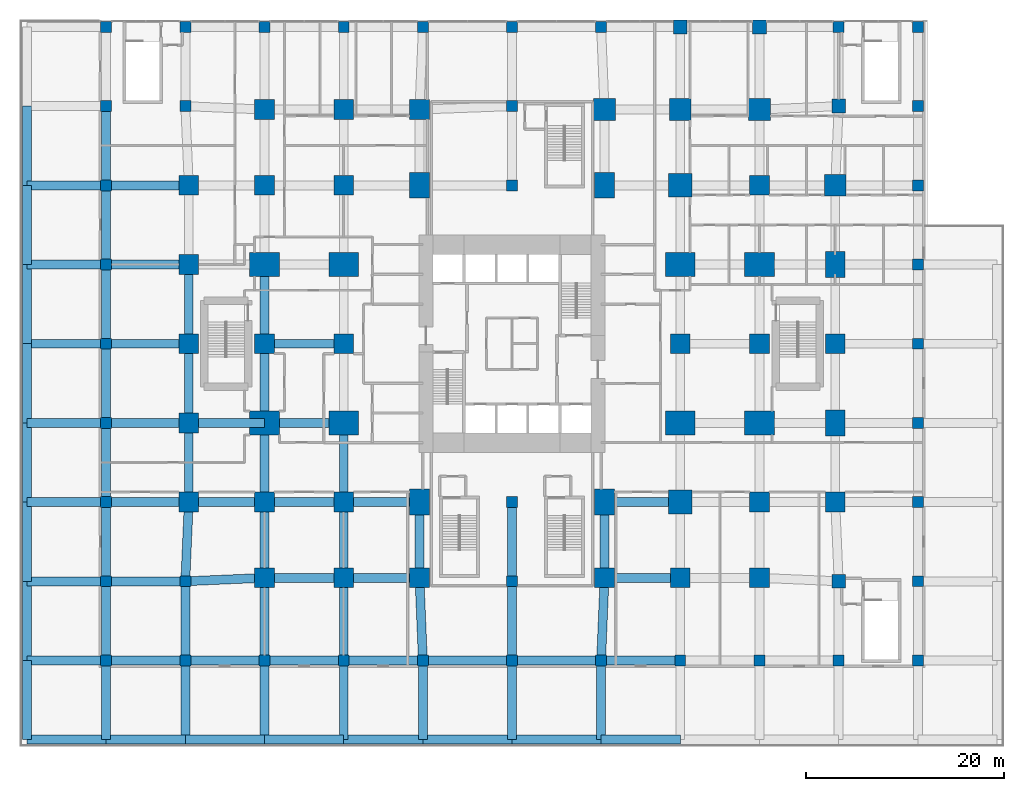
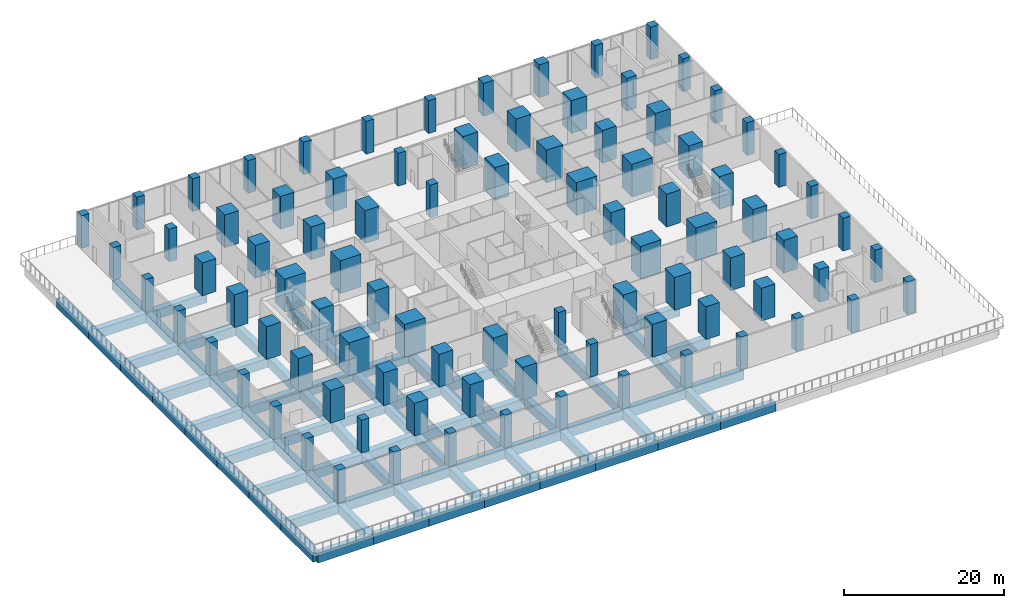
# One storey, part 1 of 19: 90 columns, 80 beams.
"""IFC4 building model written with IfcOpenShell, lengths in metres."""

from ifc_helpers import new_model, si_unit, direction, frame, origin, origin_2d, place, context, subcontext, project, spatial, rectangle, extrude, material, material_profile, profile_set, type_object, element, save


model = new_model("IFC4")

# Units and contexts
model_context = context("Model", 3, precision=1e-05, world=origin(), true_north=direction((0.0, 1.0)))
body_context = subcontext(model_context, "Body", "Model", "MODEL_VIEW")
ifc_project = project(units=[si_unit("LENGTHUNIT", "METRE"), si_unit("AREAUNIT", "SQUARE_METRE"), si_unit("VOLUMEUNIT", "CUBIC_METRE"), si_unit("PLANEANGLEUNIT", "RADIAN"), si_unit("MASSUNIT", "GRAM", prefix="KILO")], contexts=[model_context])

# Site, building, storey
site_placement = place(None, origin())
site = spatial("IfcSite", under=ifc_project, at=site_placement, CompositionType="ELEMENT")
building_placement = place(site_placement, origin())
building = spatial("IfcBuilding", under=site, at=building_placement, Name="Cleftline Residences", CompositionType="ELEMENT")
storey_placement = place(building_placement, frame((0.0, 0.0, 11.0)))
storey = spatial("IfcBuildingStorey", under=building, at=storey_placement, Name="L02", CompositionType="ELEMENT", Elevation=11.0)

# Columns
ifc_material_1 = material(Name="Concrete B70", Category="concrete")
ifc_material_profile_1 = material_profile(ifc_material_1, rectangle(XDim=1.10009765625, YDim=1.10009765625, at=origin_2d()))
ifc_profile_set_1 = profile_set([ifc_material_profile_1], Name="Concrete B70")
column_type_1 = type_object("IfcColumnType", Name="COLUMN RC1100X1100", PredefinedType="COLUMN", material=ifc_profile_set_1)
for number, where, z_axis, x_axis, name in (
    (1, (-8.0, -8.0, 0.0), (0.0, 0.0, 1.0), (1.0, 0.0, 0.0), "Column B/2"),
    (2, (-8.0, 0.0, 0.0), (0.0, 0.0, 1.0), (1.0, 0.0, 0.0), "Column C/2"),
    (3, (-8.0, 8.0, 0.0), (0.0, 0.0, 1.0), (1.0, 0.0, 0.0), "Column D/2"),
    (4, (-8.0, 16.0, 0.0), (0.0, 0.0, 1.0), (1.0, 0.0, 0.0), "Column E/2"),
    (5, (-8.0, 24.0, 0.0), (0.0, 0.0, 1.0), (1.0, 0.0, 0.0), "Column F/2"),
    (6, (-8.0, 32.0, 0.0), (0.0, 0.0, 1.0), (1.0, 0.0, 0.0), "Column G/2"),
    (7, (-8.0, 40.0, 0.0), (0.0, 0.0, 1.0), (1.0, 0.0, 0.0), "Column H/2"),
    (8, (-8.0, 48.0, 0.0), (0.0, 0.0, 1.0), (1.0, 0.0, 0.0), "Column J/2"),
    (9, (-8.0, 56.0, 0.0), (0.0, 0.0, 1.0), (1.0, 0.0, 0.0), "Column K/2"),
    (10, (0.0, -8.0, 0.0), (0.0, 0.0, 1.0), (1.0, 0.0, 0.0), "Column B/3"),
    (11, (0.0, 0.0, 0.0), (0.0, 0.0, 1.0), (1.0, 0.0, 0.0), "Column C/3"),
    (12, (0.0, 48.0, 0.0), (0.0, 0.0, 1.0), (1.0, 0.0, 0.0), "Column J/3"),
    (13, (0.0, 56.0, 0.0), (0.0, 0.0, 1.0), (1.0, 0.0, 0.0), "Column K/3"),
    (14, (8.0, -8.0, 0.0), (0.0, 0.0, 1.0), (1.0, 0.0, 0.0), "Column B/4"),
    (15, (8.0, 56.0, 0.0), (0.0, 0.0, 1.0), (1.0, 0.0, 0.0), "Column K/4"),
    (16, (16.0, -8.0, 0.0), (0.0, 0.0, 1.0), (1.0, 0.0, 0.0), "Column B/5"),
    (17, (16.0, 56.0, 0.0), (0.0, 0.0, 1.0), (1.0, 0.0, 0.0), "Column K/5"),
    (18, (24.0, -8.0, 0.0), (0.0, 0.0, 1.0), (1.0, 0.0, 0.0), "Column B/6"),
    (19, (24.0, 56.0, 0.0), (0.0, 0.0, 1.0), (1.0, 0.0, 0.0), "Column K/6"),
    (20, (33.0, -8.0, 0.0), (0.0, 0.0, 1.0), (1.0, 0.0, 0.0), "Column B/7"),
    (21, (33.0, 0.0, 0.0), (0.0, 0.0, 1.0), (1.0, 0.0, 0.0), "Column C/7"),
    (22, (33.0, 8.0, 0.0), (0.0, 0.0, 1.0), (1.0, 0.0, 0.0), "Column D/7"),
    (23, (33.0, 40.0, 0.0), (0.0, 0.0, 1.0), (1.0, 0.0, 0.0), "Column H/7"),
    (24, (33.0, 48.0, 0.0), (0.0, 0.0, 1.0), (1.0, 0.0, 0.0), "Column J/7"),
    (25, (33.0, 56.0, 0.0), (0.0, 0.0, 1.0), (1.0, 0.0, 0.0), "Column K/7"),
    (26, (42.0, -8.0, 0.0), (0.0, 0.0, 1.0), (1.0, 0.0, 0.0), "Column B/8"),
    (27, (42.0, 56.0, 0.0), (0.0, 0.0, 1.0), (1.0, 0.0, 0.0), "Column K/8"),
    (28, (50.0, -8.0, 0.0), (0.0, 0.0, 1.0), (1.0, 0.0, 0.0), "Column B/9"),
    (29, (58.0, -8.0, 0.0), (0.0, 0.0, 1.0), (1.0, 0.0, 0.0), "Column B/10"),
    (30, (66.0, -8.0, 0.0), (0.0, 0.0, 1.0), (1.0, 0.0, 0.0), "Column B/11"),
    (31, (66.0, 56.0, 0.0), (0.0, 0.0, 1.0), (1.0, 0.0, 0.0), "Column K/11"),
    (32, (74.0, -8.0, 0.0), (0.0, 0.0, 1.0), (1.0, 0.0, 0.0), "Column B/12"),
    (33, (74.0, 0.0, 0.0), (0.0, 0.0, 1.0), (1.0, 0.0, 0.0), "Column C/12"),
    (34, (74.0, 8.0, 0.0), (0.0, 0.0, 1.0), (1.0, 0.0, 0.0), "Column D/12"),
    (35, (74.0, 16.0, 0.0), (0.0, 0.0, 1.0), (1.0, 0.0, 0.0), "Column E/12"),
    (36, (74.0, 24.0, 0.0), (0.0, 0.0, 1.0), (1.0, 0.0, 0.0), "Column F/12"),
    (37, (74.0, 32.0, 0.0), (0.0, 0.0, 1.0), (1.0, 0.0, 0.0), "Column G/12"),
    (38, (74.0, 40.0, 0.0), (0.0, 0.0, 1.0), (1.0, 0.0, 0.0), "Column H/12"),
    (39, (74.0, 48.0, 0.0), (0.0, 0.0, 1.0), (1.0, 0.0, 0.0), "Column J/12"),
    (40, (74.0, 56.0, 0.0), (0.0, 0.0, 1.0), (1.0, 0.0, 0.0), "Column K/12"),
):
    element("IfcColumn", number, at=place(storey_placement, frame(where, z_axis=z_axis, x_axis=x_axis)), inside=storey, type_object=column_type_1, Name=name, PredefinedType="COLUMN", context=body_context, shape_type="SweptSolid", body=[
        extrude(rectangle(XDim=1.10009765625, YDim=1.10009765625, at=origin_2d()), origin(), (0.0, 0.0, 1.0), 5.0),
    ])
ifc_material_2 = material(Name="Concrete B70", Category="concrete")
ifc_material_profile_2 = material_profile(ifc_material_2, rectangle(XDim=1.39990234375, YDim=1.39990234375, at=origin_2d()))
ifc_profile_set_2 = profile_set([ifc_material_profile_2], Name="Concrete B70")
column_type_2 = type_object("IfcColumnType", Name="COLUMN RC1400X1400", PredefinedType="COLUMN", material=ifc_profile_set_2)
for number, where, z_axis, x_axis, name in (
    (41, (50.0, 56.0, 0.0), (0.0, 0.0, 1.0), (1.0, 0.0, 0.0), "Column K/9"),
    (42, (58.0, 56.0, 0.0), (0.0, 0.0, 1.0), (1.0, 0.0, 0.0), "Column K/10"),
    (43, (66.0, 0.0, 0.0), (0.0, 0.0, 1.0), (1.0, 0.0, 0.0), "Column C/11"),
    (44, (66.0, 48.0, 0.0), (0.0, 0.0, 1.0), (1.0, 0.0, 0.0), "Column J/11"),
):
    element("IfcColumn", number, at=place(storey_placement, frame(where, z_axis=z_axis, x_axis=x_axis)), inside=storey, type_object=column_type_2, Name=name, PredefinedType="COLUMN", context=body_context, shape_type="SweptSolid", body=[
        extrude(rectangle(XDim=1.39990234375, YDim=1.39990234375, at=origin_2d()), origin(), (0.0, 0.0, 1.0), 5.0),
    ])
ifc_material_3 = material(Name="Concrete B70", Category="concrete")
ifc_material_profile_3 = material_profile(ifc_material_3, rectangle(XDim=2.0, YDim=2.0, at=origin_2d()))
ifc_profile_set_3 = profile_set([ifc_material_profile_3], Name="Concrete B70")
column_type_3 = type_object("IfcColumnType", Name="COLUMN RC2000X2000", PredefinedType="COLUMN", material=ifc_profile_set_3)
for number, where, z_axis, x_axis, name in (
    (45, (0.35009765625, 8.0, 0.0), (0.0, 0.0, 1.0), (1.0, 0.0, 0.0), "Column D/3"),
    (46, (0.35009765625, 16.0, 0.0), (0.0, 0.0, 1.0), (1.0, 0.0, 0.0), "Column E/3"),
    (47, (0.35009765625, 24.0, 0.0), (0.0, 0.0, 1.0), (1.0, 0.0, 0.0), "Column F/3"),
    (48, (0.35009765625, 32.0, 0.0), (0.0, 0.0, 1.0), (1.0, 0.0, 0.0), "Column G/3"),
    (49, (0.35009765625, 40.0, 0.0), (0.0, 0.0, 1.0), (1.0, 0.0, 0.0), "Column H/3"),
    (50, (8.0, 0.35009765625, 0.0), (0.0, 0.0, 1.0), (1.0, 0.0, 0.0), "Column C/4"),
    (51, (8.0, 8.0, 0.0), (0.0, 0.0, 1.0), (1.0, 0.0, 0.0), "Column D/4"),
    (52, (8.0, 24.0, 0.0), (0.0, 0.0, 1.0), (1.0, 0.0, 0.0), "Column F/4"),
    (53, (8.0, 40.0, 0.0), (0.0, 0.0, 1.0), (1.0, 0.0, 0.0), "Column H/4"),
    (54, (8.0, 47.64990234375, 0.0), (0.0, 0.0, 1.0), (1.0, 0.0, 0.0), "Column J/4"),
    (55, (16.0, 0.35009765625, 0.0), (0.0, 0.0, 1.0), (1.0, 0.0, 0.0), "Column C/5"),
    (56, (16.0, 8.0, 0.0), (0.0, 0.0, 1.0), (1.0, 0.0, 0.0), "Column D/5"),
    (57, (16.0, 24.0, 0.0), (0.0, 0.0, 1.0), (1.0, 0.0, 0.0), "Column F/5"),
    (58, (16.0, 40.0, 0.0), (0.0, 0.0, 1.0), (1.0, 0.0, 0.0), "Column H/5"),
    (59, (16.0, 47.64990234375, 0.0), (0.0, 0.0, 1.0), (1.0, 0.0, 0.0), "Column J/5"),
    (60, (23.64990234375, 0.35009765625, 0.0), (0.0, 0.0, 1.0), (1.0, 0.0, 0.0), "Column C/6"),
    (61, (23.64990234375, 47.64990234375, 0.0), (0.0, 0.0, 1.0), (1.0, 0.0, 0.0), "Column J/6"),
    (62, (42.35009765625, 0.35009765625, 0.0), (0.0, 0.0, 1.0), (1.0, 0.0, 0.0), "Column C/8"),
    (63, (50.0, 0.35009765625, 0.0), (0.0, 0.0, 1.0), (1.0, 0.0, 0.0), "Column C/9"),
    (64, (50.0, 24.0, 0.0), (0.0, 0.0, 1.0), (1.0, 0.0, 0.0), "Column F/9"),
    (65, (58.0, 0.35009765625, 0.0), (0.0, 0.0, 1.0), (1.0, 0.0, 0.0), "Column C/10"),
    (66, (58.0, 8.0, 0.0), (0.0, 0.0, 1.0), (1.0, 0.0, 0.0), "Column D/10"),
    (67, (58.0, 24.0, 0.0), (0.0, 0.0, 1.0), (1.0, 0.0, 0.0), "Column F/10"),
    (68, (58.0, 40.0, 0.0), (0.0, 0.0, 1.0), (1.0, 0.0, 0.0), "Column H/10"),
    (69, (65.64990234375, 8.0, 0.0), (0.0, 0.0, 1.0), (1.0, 0.0, 0.0), "Column D/11"),
    (70, (65.64990234375, 24.0, 0.0), (0.0, 0.0, 1.0), (1.0, 0.0, 0.0), "Column F/11"),
):
    element("IfcColumn", number, at=place(storey_placement, frame(where, z_axis=z_axis, x_axis=x_axis)), inside=storey, type_object=column_type_3, Name=name, PredefinedType="COLUMN", context=body_context, shape_type="SweptSolid", body=[
        extrude(rectangle(XDim=2.0, YDim=2.0, at=origin_2d()), origin(), (0.0, 0.0, 1.0), 5.0),
    ])
ifc_material_4 = material(Name="Concrete B70", Category="concrete")
ifc_material_profile_4 = material_profile(ifc_material_4, rectangle(XDim=2.0, YDim=2.60009765625, at=origin_2d()))
ifc_profile_set_4 = profile_set([ifc_material_profile_4], Name="Concrete B70")
column_type_4 = type_object("IfcColumnType", Name="COLUMN RC2000X2600", PredefinedType="COLUMN", material=ifc_profile_set_4)
for number, where, z_axis, x_axis, name in (
    (71, (23.64990234375, 8.0, 0.0), (0.0, 0.0, 1.0), (1.0, 0.0, 0.0), "Column D/6"),
    (72, (23.64990234375, 40.0, 0.0), (0.0, 0.0, 1.0), (1.0, 0.0, 0.0), "Column H/6"),
    (73, (42.35009765625, 8.0, 0.0), (0.0, 0.0, 1.0), (1.0, 0.0, 0.0), "Column D/8"),
    (74, (42.35009765625, 40.0, 0.0), (0.0, 0.0, 1.0), (1.0, 0.0, 0.0), "Column H/8"),
):
    element("IfcColumn", number, at=place(storey_placement, frame(where, z_axis=z_axis, x_axis=x_axis)), inside=storey, type_object=column_type_4, Name=name, PredefinedType="COLUMN", context=body_context, shape_type="SweptSolid", body=[
        extrude(rectangle(XDim=2.0, YDim=2.60009765625, at=origin_2d()), origin(), (0.0, 0.0, 1.0), 5.0),
    ])
ifc_material_5 = material(Name="Concrete B70", Category="concrete")
ifc_material_profile_5 = material_profile(ifc_material_5, rectangle(XDim=2.199951171875, YDim=2.199951171875, at=origin_2d()))
ifc_profile_set_5 = profile_set([ifc_material_profile_5], Name="Concrete B70")
column_type_5 = type_object("IfcColumnType", Name="COLUMN RC2200X2200", PredefinedType="COLUMN", material=ifc_profile_set_5)
for number, where, z_axis, x_axis, name in (
    (75, (42.35009765625, 47.64990234375, 0.0), (0.0, 0.0, 1.0), (1.0, 0.0, 0.0), "Column J/8"),
    (76, (50.0, 47.64990234375, 0.0), (0.0, 0.0, 1.0), (1.0, 0.0, 0.0), "Column J/9"),
    (77, (58.0, 47.64990234375, 0.0), (0.0, 0.0, 1.0), (1.0, 0.0, 0.0), "Column J/10"),
    (78, (65.64990234375, 40.0, 0.0), (0.0, 0.0, 1.0), (1.0, 0.0, 0.0), "Column H/11"),
):
    element("IfcColumn", number, at=place(storey_placement, frame(where, z_axis=z_axis, x_axis=x_axis)), inside=storey, type_object=column_type_5, Name=name, PredefinedType="COLUMN", context=body_context, shape_type="SweptSolid", body=[
        extrude(rectangle(XDim=2.199951171875, YDim=2.199951171875, at=origin_2d()), origin(), (0.0, 0.0, 1.0), 5.0),
    ])
ifc_material_6 = material(Name="Concrete B70", Category="concrete")
ifc_material_profile_6 = material_profile(ifc_material_6, rectangle(XDim=2.39990234375, YDim=2.39990234375, at=origin_2d()))
ifc_profile_set_6 = profile_set([ifc_material_profile_6], Name="Concrete B70")
column_type_6 = type_object("IfcColumnType", Name="COLUMN RC2400X2400", PredefinedType="COLUMN", material=ifc_profile_set_6)
for number, where, z_axis, x_axis, name in (
    (79, (50.0, 8.0, 0.0), (0.0, 0.0, 1.0), (1.0, 0.0, 0.0), "Column D/9"),
    (80, (50.0, 40.0, 0.0), (0.0, 0.0, 1.0), (1.0, 0.0, 0.0), "Column H/9"),
):
    element("IfcColumn", number, at=place(storey_placement, frame(where, z_axis=z_axis, x_axis=x_axis)), inside=storey, type_object=column_type_6, Name=name, PredefinedType="COLUMN", context=body_context, shape_type="SweptSolid", body=[
        extrude(rectangle(XDim=2.39990234375, YDim=2.39990234375, at=origin_2d()), origin(), (0.0, 0.0, 1.0), 5.0),
    ])
ifc_material_7 = material(Name="Concrete B70", Category="concrete")
ifc_material_profile_7 = material_profile(ifc_material_7, rectangle(XDim=2.60009765625, YDim=2.0, at=origin_2d()))
ifc_profile_set_7 = profile_set([ifc_material_profile_7], Name="Concrete B70")
column_type_7 = type_object("IfcColumnType", Name="COLUMN RC2600X2000", PredefinedType="COLUMN", material=ifc_profile_set_7)
for number, where, z_axis, x_axis, name in (
    (81, (65.64990234375, 16.0, 0.0), (0.0, 0.0, 1.0), (0.0, 1.0, 0.0), "Column E/11"),
    (82, (65.64990234375, 32.0, 0.0), (0.0, 0.0, 1.0), (0.0, 1.0, 0.0), "Column G/11"),
):
    element("IfcColumn", number, at=place(storey_placement, frame(where, z_axis=z_axis, x_axis=x_axis)), inside=storey, type_object=column_type_7, Name=name, PredefinedType="COLUMN", context=body_context, shape_type="SweptSolid", body=[
        extrude(rectangle(XDim=2.60009765625, YDim=2.0, at=origin_2d()), origin(), (0.0, 0.0, 1.0), 5.0),
    ])
ifc_material_8 = material(Name="Concrete B70", Category="concrete")
ifc_material_profile_8 = material_profile(ifc_material_8, rectangle(XDim=3.0, YDim=2.39990234375, at=origin_2d()))
ifc_profile_set_8 = profile_set([ifc_material_profile_8], Name="Concrete B70")
column_type_8 = type_object("IfcColumnType", Name="COLUMN RC3000X2400", PredefinedType="COLUMN", material=ifc_profile_set_8)
for number, where, z_axis, x_axis, name in (
    (83, (8.0, 16.0, 0.0), (0.0, 0.0, 1.0), (1.0, 0.0, 0.0), "Column E/4"),
    (84, (8.0, 32.0, 0.0), (0.0, 0.0, 1.0), (1.0, 0.0, 0.0), "Column G/4"),
    (85, (16.0, 16.0, 0.0), (0.0, 0.0, 1.0), (1.0, 0.0, 0.0), "Column E/5"),
    (86, (16.0, 32.0, 0.0), (0.0, 0.0, 1.0), (1.0, 0.0, 0.0), "Column G/5"),
    (87, (50.0, 16.0, 0.0), (0.0, 0.0, 1.0), (1.0, 0.0, 0.0), "Column E/9"),
    (88, (50.0, 32.0, 0.0), (0.0, 0.0, 1.0), (1.0, 0.0, 0.0), "Column G/9"),
    (89, (58.0, 16.0, 0.0), (0.0, 0.0, 1.0), (1.0, 0.0, 0.0), "Column E/10"),
    (90, (58.0, 32.0, 0.0), (0.0, 0.0, 1.0), (1.0, 0.0, 0.0), "Column G/10"),
):
    element("IfcColumn", number, at=place(storey_placement, frame(where, z_axis=z_axis, x_axis=x_axis)), inside=storey, type_object=column_type_8, Name=name, PredefinedType="COLUMN", context=body_context, shape_type="SweptSolid", body=[
        extrude(rectangle(XDim=3.0, YDim=2.39990234375, at=origin_2d()), origin(), (0.0, 0.0, 1.0), 5.0),
    ])

# Beams
ifc_material_9 = material(Name="Concrete B45", Category="concrete")
ifc_material_profile_9 = material_profile(ifc_material_9, rectangle(XDim=0.89990234375, YDim=1.39990234375, at=origin_2d()))
ifc_profile_set_9 = profile_set([ifc_material_profile_9], Name="Concrete B45")
beam_type = type_object("IfcBeamType", Name="BEAM RC900X1400", PredefinedType="BEAM", material=ifc_profile_set_9)
for number, where, z_axis, x_axis, name in (
    (91, (-16.0, -16.0, -1.0), (1.0, 0.0, 0.0), (0.0, 1.0, 0.0), "Podium beam"),
    (92, (-8.0, -16.0, -1.0), (1.0, 0.0, 0.0), (0.0, 1.0, 0.0), "Podium beam"),
    (93, (0.0, -16.0, -1.0), (1.0, 0.0, 0.0), (0.0, 1.0, 0.0), "Podium beam"),
    (94, (8.0, -16.0, -1.0), (1.0, 0.0, 0.0), (0.0, 1.0, 0.0), "Podium beam"),
    (95, (16.0, -16.0, -1.0), (1.0, 0.0, 0.0), (0.0, 1.0, 0.0), "Podium beam"),
):
    element("IfcBeam", number, at=place(storey_placement, frame(where, z_axis=z_axis, x_axis=x_axis)), inside=storey, type_object=beam_type, Name=name, PredefinedType="BEAM", context=body_context, shape_type="SweptSolid", body=[
        extrude(rectangle(XDim=0.89990234375, YDim=1.39990234375, at=origin_2d()), origin(), (0.0, 0.0, 1.0), 8.0),
    ])
for number, where, z_axis, x_axis, name in (
    (96, (24.0, -16.0, -1.0), (1.0, 0.0, 0.0), (0.0, 1.0, 0.0), "Podium beam"),
    (97, (33.0, -16.0, -1.0), (1.0, 0.0, 0.0), (0.0, 1.0, 0.0), "Podium beam"),
):
    element("IfcBeam", number, at=place(storey_placement, frame(where, z_axis=z_axis, x_axis=x_axis)), inside=storey, type_object=beam_type, Name=name, PredefinedType="BEAM", context=body_context, shape_type="SweptSolid", body=[
        extrude(rectangle(XDim=0.89990234375, YDim=1.39990234375, at=origin_2d()), origin(), (0.0, 0.0, 1.0), 9.0),
    ])
for number, where, z_axis, x_axis, name in (
    (98, (42.0, -16.0, -1.0), (1.0, 0.0, 0.0), (0.0, 1.0, 0.0), "Podium beam"),
    (99, (-16.0, -8.0, -1.0), (1.0, 0.0, 0.0), (0.0, 1.0, 0.0), "Podium beam"),
    (100, (-8.0, -8.0, -1.0), (1.0, 0.0, 0.0), (0.0, 1.0, 0.0), "Podium beam"),
    (101, (0.0, -8.0, -1.0), (1.0, 0.0, 0.0), (0.0, 1.0, 0.0), "Podium beam"),
    (102, (8.0, -8.0, -1.0), (1.0, 0.0, 0.0), (0.0, 1.0, 0.0), "Podium beam"),
    (103, (16.0, -8.0, -1.0), (1.0, 0.0, 0.0), (0.0, 1.0, 0.0), "Podium beam"),
):
    element("IfcBeam", number, at=place(storey_placement, frame(where, z_axis=z_axis, x_axis=x_axis)), inside=storey, type_object=beam_type, Name=name, PredefinedType="BEAM", context=body_context, shape_type="SweptSolid", body=[
        extrude(rectangle(XDim=0.89990234375, YDim=1.39990234375, at=origin_2d()), origin(), (0.0, 0.0, 1.0), 8.0),
    ])
for number, where, z_axis, x_axis, name in (
    (104, (24.0, -8.0, -1.0), (1.0, 0.0, 0.0), (0.0, 1.0, 0.0), "Podium beam"),
    (105, (33.0, -8.0, -1.0), (1.0, 0.0, 0.0), (0.0, 1.0, 0.0), "Podium beam"),
):
    element("IfcBeam", number, at=place(storey_placement, frame(where, z_axis=z_axis, x_axis=x_axis)), inside=storey, type_object=beam_type, Name=name, PredefinedType="BEAM", context=body_context, shape_type="SweptSolid", body=[
        extrude(rectangle(XDim=0.89990234375, YDim=1.39990234375, at=origin_2d()), origin(), (0.0, 0.0, 1.0), 9.0),
    ])
for number, where, z_axis, x_axis, name in (
    (106, (42.0, -8.0, -1.0), (1.0, 0.0, 0.0), (0.0, 1.0, 0.0), "Podium beam"),
    (107, (-16.0, 0.0, -1.0), (1.0, 0.0, 0.0), (0.0, 1.0, 0.0), "Podium beam"),
    (108, (-8.0, 0.0, -1.0), (1.0, 0.0, 0.0), (0.0, 1.0, 0.0), "Podium beam"),
):
    element("IfcBeam", number, at=place(storey_placement, frame(where, z_axis=z_axis, x_axis=x_axis)), inside=storey, type_object=beam_type, Name=name, PredefinedType="BEAM", context=body_context, shape_type="SweptSolid", body=[
        extrude(rectangle(XDim=0.89990234375, YDim=1.39990234375, at=origin_2d()), origin(), (0.0, 0.0, 1.0), 8.0),
    ])
beam_1_placement = place(storey_placement, frame((0.0, 0.0, -1.0), z_axis=(0.999043807824, 0.043720361951, 0.0), x_axis=(-0.043720361951, 0.999043807824, 0.0)))
element("IfcBeam", 109, at=beam_1_placement, inside=storey, type_object=beam_type, Name="Podium beam", PredefinedType="BEAM", context=body_context, shape_type="SweptSolid", body=[
    extrude(rectangle(XDim=0.89990234375, YDim=1.39990234375, at=origin_2d()), origin(), (0.0, 0.0, 1.0), 8.007568359375),
])
beam_2_placement = place(storey_placement, frame((8.0, 0.35009765625, -1.0), z_axis=(1.0, 0.0, 0.0), x_axis=(0.0, 1.0, 0.0)))
element("IfcBeam", 110, at=beam_2_placement, inside=storey, type_object=beam_type, Name="Podium beam", PredefinedType="BEAM", context=body_context, shape_type="SweptSolid", body=[
    extrude(rectangle(XDim=0.89990234375, YDim=1.39990234375, at=origin_2d()), origin(), (0.0, 0.0, 1.0), 8.0),
])
for number, where, z_axis, x_axis, name in (
    (111, (16.0, 0.35009765625, -1.0), (1.0, 0.0, 0.0), (0.0, 1.0, 0.0), "Podium beam"),
    (112, (42.35009765625, 0.35009765625, -1.0), (1.0, 0.0, 0.0), (0.0, 1.0, 0.0), "Podium beam"),
):
    element("IfcBeam", number, at=place(storey_placement, frame(where, z_axis=z_axis, x_axis=x_axis)), inside=storey, type_object=beam_type, Name=name, PredefinedType="BEAM", context=body_context, shape_type="SweptSolid", body=[
        extrude(rectangle(XDim=0.89990234375, YDim=1.39990234375, at=origin_2d()), origin(), (0.0, 0.0, 1.0), 7.64990234375),
    ])
beam_3_placement = place(storey_placement, frame((-16.0, 8.0, -1.0), z_axis=(1.0, 0.0, 0.0), x_axis=(0.0, 1.0, 0.0)))
element("IfcBeam", 113, at=beam_3_placement, inside=storey, type_object=beam_type, Name="Podium beam", PredefinedType="BEAM", context=body_context, shape_type="SweptSolid", body=[
    extrude(rectangle(XDim=0.89990234375, YDim=1.39990234375, at=origin_2d()), origin(), (0.0, 0.0, 1.0), 8.0),
])
beam_4_placement = place(storey_placement, frame((-8.0, 8.0, -1.0), z_axis=(1.0, 0.0, 0.0), x_axis=(0.0, 1.0, 0.0)))
element("IfcBeam", 114, at=beam_4_placement, inside=storey, type_object=beam_type, Name="Podium beam", PredefinedType="BEAM", context=body_context, shape_type="SweptSolid", body=[
    extrude(rectangle(XDim=0.89990234375, YDim=1.39990234375, at=origin_2d()), origin(), (0.0, 0.0, 1.0), 8.35009765625),
])
beam_5_placement = place(storey_placement, frame((0.35009765625, 8.0, -1.0), z_axis=(1.0, 0.0, 0.0), x_axis=(0.0, 1.0, 0.0)))
element("IfcBeam", 115, at=beam_5_placement, inside=storey, type_object=beam_type, Name="Podium beam", PredefinedType="BEAM", context=body_context, shape_type="SweptSolid", body=[
    extrude(rectangle(XDim=0.89990234375, YDim=1.39990234375, at=origin_2d()), origin(), (0.0, 0.0, 1.0), 7.64990234375),
])
beam_6_placement = place(storey_placement, frame((8.0, 8.0, -1.0), z_axis=(1.0, 0.0, 0.0), x_axis=(0.0, 1.0, 0.0)))
element("IfcBeam", 116, at=beam_6_placement, inside=storey, type_object=beam_type, Name="Podium beam", PredefinedType="BEAM", context=body_context, shape_type="SweptSolid", body=[
    extrude(rectangle(XDim=0.89990234375, YDim=1.39990234375, at=origin_2d()), origin(), (0.0, 0.0, 1.0), 8.0),
])
for number, where, z_axis, x_axis, name in (
    (117, (16.0, 8.0, -1.0), (1.0, 0.0, 0.0), (0.0, 1.0, 0.0), "Podium beam"),
    (118, (42.35009765625, 8.0, -1.0), (1.0, 0.0, 0.0), (0.0, 1.0, 0.0), "Podium beam"),
):
    element("IfcBeam", number, at=place(storey_placement, frame(where, z_axis=z_axis, x_axis=x_axis)), inside=storey, type_object=beam_type, Name=name, PredefinedType="BEAM", context=body_context, shape_type="SweptSolid", body=[
        extrude(rectangle(XDim=0.89990234375, YDim=1.39990234375, at=origin_2d()), origin(), (0.0, 0.0, 1.0), 7.64990234375),
    ])
beam_7_placement = place(storey_placement, frame((-16.0, 16.0, -1.0), z_axis=(1.0, 0.0, 0.0), x_axis=(0.0, 1.0, 0.0)))
element("IfcBeam", 119, at=beam_7_placement, inside=storey, type_object=beam_type, Name="Podium beam", PredefinedType="BEAM", context=body_context, shape_type="SweptSolid", body=[
    extrude(rectangle(XDim=0.89990234375, YDim=1.39990234375, at=origin_2d()), origin(), (0.0, 0.0, 1.0), 8.0),
])
beam_8_placement = place(storey_placement, frame((-8.0, 16.0, -1.0), z_axis=(1.0, 0.0, 0.0), x_axis=(0.0, 1.0, 0.0)))
element("IfcBeam", 120, at=beam_8_placement, inside=storey, type_object=beam_type, Name="Podium beam", PredefinedType="BEAM", context=body_context, shape_type="SweptSolid", body=[
    extrude(rectangle(XDim=0.89990234375, YDim=1.39990234375, at=origin_2d()), origin(), (0.0, 0.0, 1.0), 8.35009765625),
])
beam_9_placement = place(storey_placement, frame((0.35009765625, 16.0, -1.0), z_axis=(1.0, 0.0, 0.0), x_axis=(0.0, 1.0, 0.0)))
element("IfcBeam", 121, at=beam_9_placement, inside=storey, type_object=beam_type, Name="Podium beam", PredefinedType="BEAM", context=body_context, shape_type="SweptSolid", body=[
    extrude(rectangle(XDim=0.89990234375, YDim=1.39990234375, at=origin_2d()), origin(), (0.0, 0.0, 1.0), 7.64990234375),
])
for number, where, z_axis, x_axis, name in (
    (122, (8.0, 16.0, -1.0), (1.0, 0.0, 0.0), (0.0, 1.0, 0.0), "Podium beam"),
    (123, (-16.0, 24.0, -1.0), (1.0, 0.0, 0.0), (0.0, 1.0, 0.0), "Podium beam"),
):
    element("IfcBeam", number, at=place(storey_placement, frame(where, z_axis=z_axis, x_axis=x_axis)), inside=storey, type_object=beam_type, Name=name, PredefinedType="BEAM", context=body_context, shape_type="SweptSolid", body=[
        extrude(rectangle(XDim=0.89990234375, YDim=1.39990234375, at=origin_2d()), origin(), (0.0, 0.0, 1.0), 8.0),
    ])
beam_10_placement = place(storey_placement, frame((-8.0, 24.0, -1.0), z_axis=(1.0, 0.0, 0.0), x_axis=(0.0, 1.0, 0.0)))
element("IfcBeam", 124, at=beam_10_placement, inside=storey, type_object=beam_type, Name="Podium beam", PredefinedType="BEAM", context=body_context, shape_type="SweptSolid", body=[
    extrude(rectangle(XDim=0.89990234375, YDim=1.39990234375, at=origin_2d()), origin(), (0.0, 0.0, 1.0), 8.35009765625),
])
for number, where, z_axis, x_axis, name in (
    (125, (8.0, 24.0, -1.0), (1.0, 0.0, 0.0), (0.0, 1.0, 0.0), "Podium beam"),
    (126, (-16.0, 32.0, -1.0), (1.0, 0.0, 0.0), (0.0, 1.0, 0.0), "Podium beam"),
):
    element("IfcBeam", number, at=place(storey_placement, frame(where, z_axis=z_axis, x_axis=x_axis)), inside=storey, type_object=beam_type, Name=name, PredefinedType="BEAM", context=body_context, shape_type="SweptSolid", body=[
        extrude(rectangle(XDim=0.89990234375, YDim=1.39990234375, at=origin_2d()), origin(), (0.0, 0.0, 1.0), 8.0),
    ])
beam_11_placement = place(storey_placement, frame((-8.0, 32.0, -1.0), z_axis=(1.0, 0.0, 0.0), x_axis=(0.0, 1.0, 0.0)))
element("IfcBeam", 127, at=beam_11_placement, inside=storey, type_object=beam_type, Name="Podium beam", PredefinedType="BEAM", context=body_context, shape_type="SweptSolid", body=[
    extrude(rectangle(XDim=0.89990234375, YDim=1.39990234375, at=origin_2d()), origin(), (0.0, 0.0, 1.0), 8.35009765625),
])
beam_12_placement = place(storey_placement, frame((-16.0, 40.0, -1.0), z_axis=(1.0, 0.0, 0.0), x_axis=(0.0, 1.0, 0.0)))
element("IfcBeam", 128, at=beam_12_placement, inside=storey, type_object=beam_type, Name="Podium beam", PredefinedType="BEAM", context=body_context, shape_type="SweptSolid", body=[
    extrude(rectangle(XDim=0.89990234375, YDim=1.39990234375, at=origin_2d()), origin(), (0.0, 0.0, 1.0), 8.0),
])
beam_13_placement = place(storey_placement, frame((-8.0, 40.0, -1.0), z_axis=(1.0, 0.0, 0.0), x_axis=(0.0, 1.0, 0.0)))
element("IfcBeam", 129, at=beam_13_placement, inside=storey, type_object=beam_type, Name="Podium beam", PredefinedType="BEAM", context=body_context, shape_type="SweptSolid", body=[
    extrude(rectangle(XDim=0.89990234375, YDim=1.39990234375, at=origin_2d()), origin(), (0.0, 0.0, 1.0), 8.35009765625),
])
for number, where, z_axis, x_axis, name in (
    (130, (-16.0, -16.0, -1.0), (0.0, 1.0, 0.0), (-1.0, 0.0, 0.0), "Podium beam"),
    (131, (-16.0, -8.0, -1.0), (0.0, 1.0, 0.0), (-1.0, 0.0, 0.0), "Podium beam"),
    (132, (-16.0, 0.0, -1.0), (0.0, 1.0, 0.0), (-1.0, 0.0, 0.0), "Podium beam"),
    (133, (-16.0, 8.0, -1.0), (0.0, 1.0, 0.0), (-1.0, 0.0, 0.0), "Podium beam"),
    (134, (-16.0, 16.0, -1.0), (0.0, 1.0, 0.0), (-1.0, 0.0, 0.0), "Podium beam"),
    (135, (-16.0, 24.0, -1.0), (0.0, 1.0, 0.0), (-1.0, 0.0, 0.0), "Podium beam"),
    (136, (-16.0, 32.0, -1.0), (0.0, 1.0, 0.0), (-1.0, 0.0, 0.0), "Podium beam"),
    (137, (-16.0, 40.0, -1.0), (0.0, 1.0, 0.0), (-1.0, 0.0, 0.0), "Podium beam"),
    (138, (-8.0, -16.0, -1.0), (0.0, 1.0, 0.0), (-1.0, 0.0, 0.0), "Podium beam"),
    (139, (-8.0, -8.0, -1.0), (0.0, 1.0, 0.0), (-1.0, 0.0, 0.0), "Podium beam"),
    (140, (-8.0, 0.0, -1.0), (0.0, 1.0, 0.0), (-1.0, 0.0, 0.0), "Podium beam"),
    (141, (-8.0, 8.0, -1.0), (0.0, 1.0, 0.0), (-1.0, 0.0, 0.0), "Podium beam"),
    (142, (-8.0, 16.0, -1.0), (0.0, 1.0, 0.0), (-1.0, 0.0, 0.0), "Podium beam"),
    (143, (-8.0, 24.0, -1.0), (0.0, 1.0, 0.0), (-1.0, 0.0, 0.0), "Podium beam"),
    (144, (-8.0, 32.0, -1.0), (0.0, 1.0, 0.0), (-1.0, 0.0, 0.0), "Podium beam"),
    (145, (-8.0, 40.0, -1.0), (0.0, 1.0, 0.0), (-1.0, 0.0, 0.0), "Podium beam"),
    (146, (0.0, -16.0, -1.0), (0.0, 1.0, 0.0), (-1.0, 0.0, 0.0), "Podium beam"),
    (147, (0.0, -8.0, -1.0), (0.0, 1.0, 0.0), (-1.0, 0.0, 0.0), "Podium beam"),
):
    element("IfcBeam", number, at=place(storey_placement, frame(where, z_axis=z_axis, x_axis=x_axis)), inside=storey, type_object=beam_type, Name=name, PredefinedType="BEAM", context=body_context, shape_type="SweptSolid", body=[
        extrude(rectangle(XDim=0.89990234375, YDim=1.39990234375, at=origin_2d()), origin(), (0.0, 0.0, 1.0), 8.0),
    ])
beam_14_placement = place(storey_placement, frame((0.0, 0.0, -1.0), z_axis=(0.043720361951, 0.999043807824, 0.0), x_axis=(-0.999043807824, 0.043720361951, 0.0)))
element("IfcBeam", 148, at=beam_14_placement, inside=storey, type_object=beam_type, Name="Podium beam", PredefinedType="BEAM", context=body_context, shape_type="SweptSolid", body=[
    extrude(rectangle(XDim=0.89990234375, YDim=1.39990234375, at=origin_2d()), origin(), (0.0, 0.0, 1.0), 8.007568359375),
])
for number, where, z_axis, x_axis, name in (
    (149, (0.35009765625, 8.0, -1.0), (0.0, 1.0, 0.0), (-1.0, 0.0, 0.0), "Podium beam"),
    (150, (0.35009765625, 16.0, -1.0), (0.0, 1.0, 0.0), (-1.0, 0.0, 0.0), "Podium beam"),
    (151, (0.35009765625, 24.0, -1.0), (0.0, 1.0, 0.0), (-1.0, 0.0, 0.0), "Podium beam"),
    (152, (8.0, -16.0, -1.0), (0.0, 1.0, 0.0), (-1.0, 0.0, 0.0), "Podium beam"),
):
    element("IfcBeam", number, at=place(storey_placement, frame(where, z_axis=z_axis, x_axis=x_axis)), inside=storey, type_object=beam_type, Name=name, PredefinedType="BEAM", context=body_context, shape_type="SweptSolid", body=[
        extrude(rectangle(XDim=0.89990234375, YDim=1.39990234375, at=origin_2d()), origin(), (0.0, 0.0, 1.0), 8.0),
    ])
beam_15_placement = place(storey_placement, frame((8.0, -8.0, -1.0), z_axis=(0.0, 1.0, 0.0), x_axis=(-1.0, 0.0, 0.0)))
element("IfcBeam", 153, at=beam_15_placement, inside=storey, type_object=beam_type, Name="Podium beam", PredefinedType="BEAM", context=body_context, shape_type="SweptSolid", body=[
    extrude(rectangle(XDim=0.89990234375, YDim=1.39990234375, at=origin_2d()), origin(), (0.0, 0.0, 1.0), 8.35009765625),
])
beam_16_placement = place(storey_placement, frame((8.0, 0.35009765625, -1.0), z_axis=(0.0, 1.0, 0.0), x_axis=(-1.0, 0.0, 0.0)))
element("IfcBeam", 154, at=beam_16_placement, inside=storey, type_object=beam_type, Name="Podium beam", PredefinedType="BEAM", context=body_context, shape_type="SweptSolid", body=[
    extrude(rectangle(XDim=0.89990234375, YDim=1.39990234375, at=origin_2d()), origin(), (0.0, 0.0, 1.0), 7.64990234375),
])
for number, where, z_axis, x_axis, name in (
    (155, (8.0, 8.0, -1.0), (0.0, 1.0, 0.0), (-1.0, 0.0, 0.0), "Podium beam"),
    (156, (8.0, 16.0, -1.0), (0.0, 1.0, 0.0), (-1.0, 0.0, 0.0), "Podium beam"),
    (157, (8.0, 24.0, -1.0), (0.0, 1.0, 0.0), (-1.0, 0.0, 0.0), "Podium beam"),
    (158, (16.0, -16.0, -1.0), (0.0, 1.0, 0.0), (-1.0, 0.0, 0.0), "Podium beam"),
):
    element("IfcBeam", number, at=place(storey_placement, frame(where, z_axis=z_axis, x_axis=x_axis)), inside=storey, type_object=beam_type, Name=name, PredefinedType="BEAM", context=body_context, shape_type="SweptSolid", body=[
        extrude(rectangle(XDim=0.89990234375, YDim=1.39990234375, at=origin_2d()), origin(), (0.0, 0.0, 1.0), 8.0),
    ])
beam_17_placement = place(storey_placement, frame((16.0, -8.0, -1.0), z_axis=(0.0, 1.0, 0.0), x_axis=(-1.0, 0.0, 0.0)))
element("IfcBeam", 159, at=beam_17_placement, inside=storey, type_object=beam_type, Name="Podium beam", PredefinedType="BEAM", context=body_context, shape_type="SweptSolid", body=[
    extrude(rectangle(XDim=0.89990234375, YDim=1.39990234375, at=origin_2d()), origin(), (0.0, 0.0, 1.0), 8.35009765625),
])
beam_18_placement = place(storey_placement, frame((16.0, 0.35009765625, -1.0), z_axis=(0.0, 1.0, 0.0), x_axis=(-1.0, 0.0, 0.0)))
element("IfcBeam", 160, at=beam_18_placement, inside=storey, type_object=beam_type, Name="Podium beam", PredefinedType="BEAM", context=body_context, shape_type="SweptSolid", body=[
    extrude(rectangle(XDim=0.89990234375, YDim=1.39990234375, at=origin_2d()), origin(), (0.0, 0.0, 1.0), 7.64990234375),
])
for number, where, z_axis, x_axis, name in (
    (161, (16.0, 8.0, -1.0), (0.0, 1.0, 0.0), (-1.0, 0.0, 0.0), "Podium beam"),
    (162, (24.0, -16.0, -1.0), (0.0, 1.0, 0.0), (-1.0, 0.0, 0.0), "Podium beam"),
):
    element("IfcBeam", number, at=place(storey_placement, frame(where, z_axis=z_axis, x_axis=x_axis)), inside=storey, type_object=beam_type, Name=name, PredefinedType="BEAM", context=body_context, shape_type="SweptSolid", body=[
        extrude(rectangle(XDim=0.89990234375, YDim=1.39990234375, at=origin_2d()), origin(), (0.0, 0.0, 1.0), 8.0),
    ])
beam_19_placement = place(storey_placement, frame((24.0, -8.0, -1.0), z_axis=(-0.041890569024, 0.999122204851, 0.0), x_axis=(-0.999122204851, -0.041890569024, 0.0)))
element("IfcBeam", 163, at=beam_19_placement, inside=storey, type_object=beam_type, Name="Podium beam", PredefinedType="BEAM", context=body_context, shape_type="SweptSolid", body=[
    extrude(rectangle(XDim=0.89990234375, YDim=1.39990234375, at=origin_2d()), origin(), (0.0, 0.0, 1.0), 8.357421875),
])
beam_20_placement = place(storey_placement, frame((23.64990234375, 0.35009765625, -1.0), z_axis=(0.0, 1.0, 0.0), x_axis=(-1.0, 0.0, 0.0)))
element("IfcBeam", 164, at=beam_20_placement, inside=storey, type_object=beam_type, Name="Podium beam", PredefinedType="BEAM", context=body_context, shape_type="SweptSolid", body=[
    extrude(rectangle(XDim=0.89990234375, YDim=1.39990234375, at=origin_2d()), origin(), (0.0, 0.0, 1.0), 7.64990234375),
])
for number, where, z_axis, x_axis, name in (
    (165, (33.0, -16.0, -1.0), (0.0, 1.0, 0.0), (-1.0, 0.0, 0.0), "Podium beam"),
    (166, (33.0, -8.0, -1.0), (0.0, 1.0, 0.0), (-1.0, 0.0, 0.0), "Podium beam"),
    (167, (33.0, 0.0, -1.0), (0.0, 1.0, 0.0), (-1.0, 0.0, 0.0), "Podium beam"),
    (168, (42.0, -16.0, -1.0), (0.0, 1.0, 0.0), (-1.0, 0.0, 0.0), "Podium beam"),
):
    element("IfcBeam", number, at=place(storey_placement, frame(where, z_axis=z_axis, x_axis=x_axis)), inside=storey, type_object=beam_type, Name=name, PredefinedType="BEAM", context=body_context, shape_type="SweptSolid", body=[
        extrude(rectangle(XDim=0.89990234375, YDim=1.39990234375, at=origin_2d()), origin(), (0.0, 0.0, 1.0), 8.0),
    ])
beam_21_placement = place(storey_placement, frame((42.0, -8.0, -1.0), z_axis=(0.041890569024, 0.999122204851, 0.0), x_axis=(-0.999122204851, 0.041890569024, 0.0)))
element("IfcBeam", 169, at=beam_21_placement, inside=storey, type_object=beam_type, Name="Podium beam", PredefinedType="BEAM", context=body_context, shape_type="SweptSolid", body=[
    extrude(rectangle(XDim=0.89990234375, YDim=1.39990234375, at=origin_2d()), origin(), (0.0, 0.0, 1.0), 8.357421875),
])
beam_22_placement = place(storey_placement, frame((42.35009765625, 0.35009765625, -1.0), z_axis=(0.0, 1.0, 0.0), x_axis=(-1.0, 0.0, 0.0)))
element("IfcBeam", 170, at=beam_22_placement, inside=storey, type_object=beam_type, Name="Podium beam", PredefinedType="BEAM", context=body_context, shape_type="SweptSolid", body=[
    extrude(rectangle(XDim=0.89990234375, YDim=1.39990234375, at=origin_2d()), origin(), (0.0, 0.0, 1.0), 7.64990234375),
])

save(model, "model.ifc")
